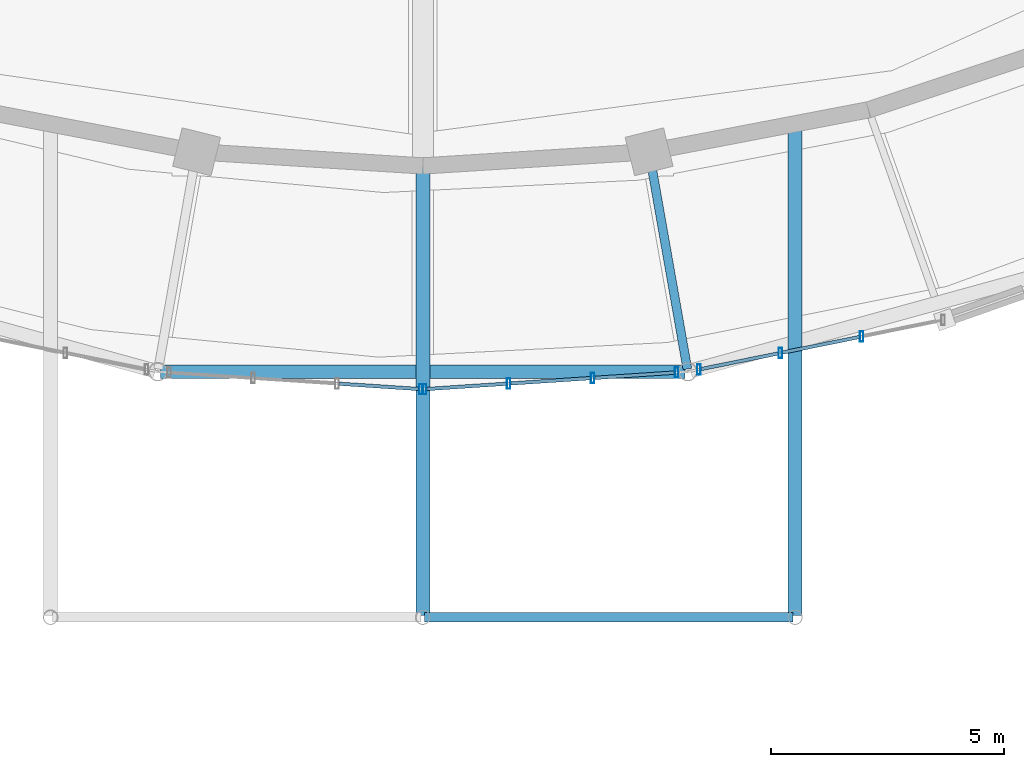
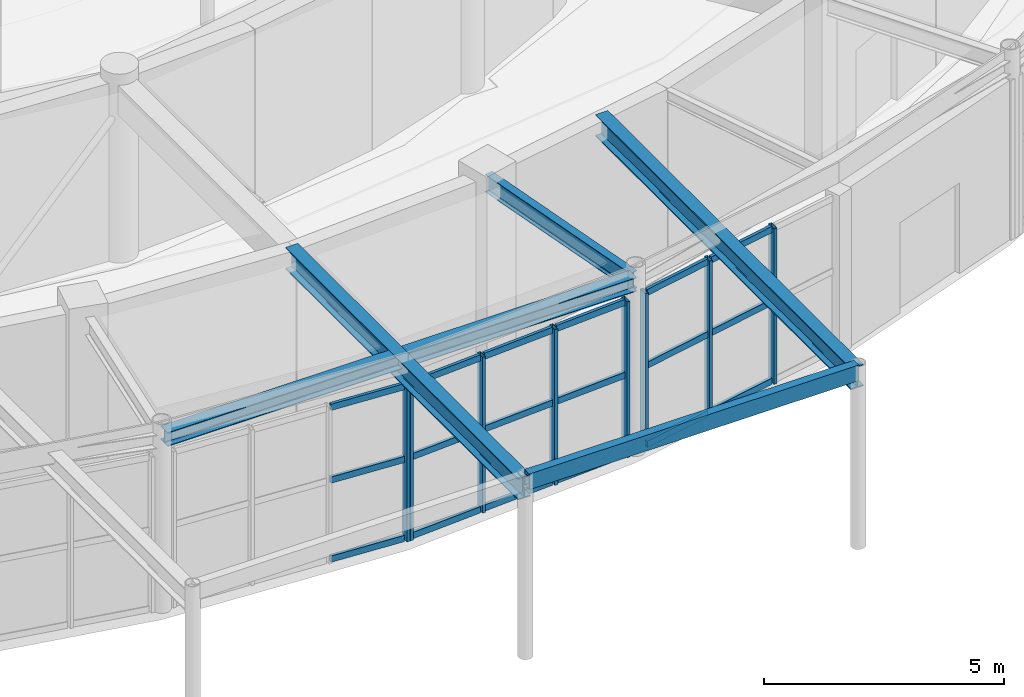
# One storey, part 38 of 108: 26 members, 5 beams, 3 elements without a shape of their own.
"""IFC4 building model written with IfcOpenShell, lengths in metres."""

from ifc_helpers import new_model, si_unit, direction, frame, origin, origin_2d, place, context, subcontext, project, spatial, hollow_rectangle, i_section, extrude, material, material_profile, profile_set, type_object, element, aggregate, save


model = new_model("IFC4")

# Units and contexts
model_context = context("Model", 3, precision=1e-05, world=origin(), true_north=direction((0.0, 1.0)))
body_context = subcontext(model_context, "Body", "Model", "MODEL_VIEW")
ifc_project = project(units=[si_unit("LENGTHUNIT", "METRE"), si_unit("AREAUNIT", "SQUARE_METRE"), si_unit("VOLUMEUNIT", "CUBIC_METRE"), si_unit("PLANEANGLEUNIT", "RADIAN"), si_unit("MASSUNIT", "GRAM", prefix="KILO")], contexts=[model_context])

# Site, building, storey
site_placement = place(None, origin())
site = spatial("IfcSite", under=ifc_project, at=site_placement, CompositionType="ELEMENT")
building_placement = place(site_placement, origin())
building = spatial("IfcBuilding", under=site, at=building_placement, Name="Tarnveldt Headland Concert Hall", CompositionType="ELEMENT")
storey_placement = place(building_placement, origin())
storey = spatial("IfcBuildingStorey", under=building, at=storey_placement, Name="L00", CompositionType="ELEMENT", Elevation=0.0)

# Curtain wall, member
ifc_material_1 = material(Name="Marine-anodised aluminium EN AW-6063-T6", Category="aluminium")
curtain_wall_type = type_object("IfcCurtainWallType", Name="CW-F1", PredefinedType="NOTDEFINED", material=ifc_material_1)
curtain_wall_1_placement = place(storey_placement, origin())
curtain_wall_1 = element("IfcCurtainWall", 1, at=curtain_wall_1_placement, inside=storey, type_object=curtain_wall_type, Name="Curtain wall CW-L00-019", PredefinedType="NOTDEFINED")
ifc_material_profile_1 = material_profile(ifc_material_1, hollow_rectangle(XDim=0.074951171875, YDim=0.219970703125, WallThickness=0.0048828125, at=origin_2d()), Name="ALU MULLION 75x220x5", Category="aluminium")
ifc_profile_set_1 = profile_set([ifc_material_profile_1], Name="Marine-anodised aluminium EN AW-6063-T6")
member_type_1 = type_object("IfcMemberType", Name="ML-200", PredefinedType="MULLION", material=ifc_profile_set_1)
member_1_placement = place(storey_placement, frame((83.460205078125, 29.70263671875, 0.0), z_axis=(0.0, 0.0, 1.0), x_axis=(1.0, 0.0, 0.0)))
member_1 = element("IfcMember", 2, at=member_1_placement, type_object=member_type_1, Name="Mullion CW-L00-019-4", PredefinedType="MULLION", context=body_context, shape_type="SweptSolid", body=[
    extrude(hollow_rectangle(XDim=0.074951171875, YDim=0.219970703125, WallThickness=0.0048828125, at=origin_2d()), origin(), (0.0, 0.0, 1.0), 3.9580078125),
])

# Curtain wall, members
curtain_wall_2_placement = place(storey_placement, origin())
curtain_wall_2 = element("IfcCurtainWall", 3, at=curtain_wall_2_placement, inside=storey, type_object=curtain_wall_type, Name="Curtain wall CW-L00-020", PredefinedType="NOTDEFINED")
member_2_placement = place(storey_placement, frame((83.539794921875, 29.70263671875, 0.0), z_axis=(0.0, 0.0, 1.0), x_axis=(1.0, 0.0, 0.0)))
member_2 = element("IfcMember", 4, at=member_2_placement, type_object=member_type_1, Name="Mullion CW-L00-020-1", PredefinedType="MULLION", context=body_context, shape_type="SweptSolid", body=[
    extrude(hollow_rectangle(XDim=0.074951171875, YDim=0.219970703125, WallThickness=0.0048828125, at=origin_2d()), origin(), (0.0, 0.0, 1.0), 3.9580078125),
])
member_3_placement = place(storey_placement, frame((85.34423828125, 29.822021484375, 0.0), z_axis=(0.0, 0.0, 1.0), x_axis=(1.0, 0.0, 0.0)))
member_3 = element("IfcMember", 5, at=member_3_placement, type_object=member_type_1, Name="Mullion CW-L00-020-2", PredefinedType="MULLION", context=body_context, shape_type="SweptSolid", body=[
    extrude(hollow_rectangle(XDim=0.074951171875, YDim=0.219970703125, WallThickness=0.0048828125, at=origin_2d()), origin(), (0.0, 0.0, 1.0), 3.9580078125),
])
member_4_placement = place(storey_placement, frame((87.148681640625, 29.94140625, 0.0), z_axis=(0.0, 0.0, 1.0), x_axis=(1.0, 0.0, 0.0)))
member_4 = element("IfcMember", 6, at=member_4_placement, type_object=member_type_1, Name="Mullion CW-L00-020-3", PredefinedType="MULLION", context=body_context, shape_type="SweptSolid", body=[
    extrude(hollow_rectangle(XDim=0.074951171875, YDim=0.219970703125, WallThickness=0.0048828125, at=origin_2d()), origin(), (0.0, 0.0, 1.0), 3.9580078125),
])
member_5_placement = place(storey_placement, frame((88.952880859375, 30.060791015625, 0.0), z_axis=(0.0, 0.0, 1.0), x_axis=(1.0, 0.0, 0.0)))
member_5 = element("IfcMember", 7, at=member_5_placement, type_object=member_type_1, Name="Mullion CW-L00-020-4", PredefinedType="MULLION", context=body_context, shape_type="SweptSolid", body=[
    extrude(hollow_rectangle(XDim=0.074951171875, YDim=0.219970703125, WallThickness=0.0048828125, at=origin_2d()), origin(), (0.0, 0.0, 1.0), 3.9580078125),
])

curtain_wall_3_placement = place(storey_placement, origin())
curtain_wall_3 = element("IfcCurtainWall", 8, at=curtain_wall_3_placement, inside=storey, type_object=curtain_wall_type, Name="Curtain wall CW-L00-021", PredefinedType="NOTDEFINED")
member_6_placement = place(storey_placement, frame((89.43408203125, 30.125, 0.0), z_axis=(0.0, 0.0, 1.0), x_axis=(1.0, 0.0, 0.0)))
member_6 = element("IfcMember", 9, at=member_6_placement, type_object=member_type_1, Name="Mullion CW-L00-021-1", PredefinedType="MULLION", context=body_context, shape_type="SweptSolid", body=[
    extrude(hollow_rectangle(XDim=0.074951171875, YDim=0.219970703125, WallThickness=0.0048828125, at=origin_2d()), origin(), (0.0, 0.0, 1.0), 3.9580078125),
])
member_7_placement = place(storey_placement, frame((91.182373046875, 30.479248046875, 0.0), z_axis=(0.0, 0.0, 1.0), x_axis=(1.0, 0.0, 0.0)))
member_7 = element("IfcMember", 10, at=member_7_placement, type_object=member_type_1, Name="Mullion CW-L00-021-2", PredefinedType="MULLION", context=body_context, shape_type="SweptSolid", body=[
    extrude(hollow_rectangle(XDim=0.074951171875, YDim=0.219970703125, WallThickness=0.0048828125, at=origin_2d()), origin(), (0.0, 0.0, 1.0), 3.9580078125),
])
member_8_placement = place(storey_placement, frame((92.930908203125, 30.83349609375, 0.0), z_axis=(0.0, 0.0, 1.0), x_axis=(1.0, 0.0, 0.0)))
member_8 = element("IfcMember", 11, at=member_8_placement, type_object=member_type_1, Name="Mullion CW-L00-021-3", PredefinedType="MULLION", context=body_context, shape_type="SweptSolid", body=[
    extrude(hollow_rectangle(XDim=0.074951171875, YDim=0.219970703125, WallThickness=0.0048828125, at=origin_2d()), origin(), (0.0, 0.0, 1.0), 3.9580078125),
])

# Beams
ifc_material_2 = material(Name="Steel S355", Category="steel")
ifc_material_profile_2 = material_profile(ifc_material_2, i_section(OverallWidth=0.300048828125, OverallDepth=0.35009765625, WebThickness=0.010009765625, FlangeThickness=0.017578125, FilletRadius=0.027099609375, at=origin_2d()), Name="HEA360", Category="steel")
ifc_profile_set_2 = profile_set([ifc_material_profile_2], Name="Steel S355")
beam_type_1 = type_object("IfcBeamType", Name="SB-HEA360", PredefinedType="SPANDREL", material=ifc_profile_set_2)
beam_1_placement = place(storey_placement, frame((77.8642578125, 30.076904296875, 4.344970703125), z_axis=(1.0, 0.0, 0.0), x_axis=(0.0, 1.0, 0.0)))
element("IfcBeam", 12, at=beam_1_placement, inside=storey, type_object=beam_type_1, Name="Framing beam L00-386", PredefinedType="SPANDREL", context=body_context, shape_type="SweptSolid", body=[
    extrude(i_section(OverallWidth=0.300048828125, OverallDepth=0.35009765625, WebThickness=0.010009765625, FlangeThickness=0.017578125, FilletRadius=0.027099609375, at=origin_2d()), origin(), (0.0, 0.0, 1.0), 11.271484375),
])
ifc_material_profile_3 = material_profile(ifc_material_2, i_section(OverallWidth=0.300048828125, OverallDepth=0.550048828125, WebThickness=0.014892578125, FlangeThickness=0.029052734375, FilletRadius=0.027099609375, at=origin_2d()), Name="HEB550", Category="steel")
ifc_profile_set_3 = profile_set([ifc_material_profile_3], Name="Steel S355")
beam_type_2 = type_object("IfcBeamType", Name="SB-HEB550", PredefinedType="BEAM", material=ifc_profile_set_3)
beam_2_placement = place(storey_placement, frame((83.5, 34.530029296875, 4.2451171875), z_axis=(0.0, -1.0, 0.0), x_axis=(1.0, 0.0, 0.0)))
element("IfcBeam", 13, at=beam_2_placement, inside=storey, type_object=beam_type_2, Name="Framing beam L00-1449", PredefinedType="BEAM", context=body_context, shape_type="SweptSolid", body=[
    extrude(i_section(OverallWidth=0.300048828125, OverallDepth=0.550048828125, WebThickness=0.014892578125, FlangeThickness=0.029052734375, FilletRadius=0.027099609375, at=origin_2d()), origin(), (0.0, 0.0, 1.0), 9.68994140625),
])
beam_3_placement = place(storey_placement, frame((91.5, 35.47998046875, 4.2451171875), z_axis=(0.0, -1.0, 0.0), x_axis=(1.0, 0.0, 0.0)))
element("IfcBeam", 14, at=beam_3_placement, inside=storey, type_object=beam_type_2, Name="Framing beam L00-1450", PredefinedType="BEAM", context=body_context, shape_type="SweptSolid", body=[
    extrude(i_section(OverallWidth=0.300048828125, OverallDepth=0.550048828125, WebThickness=0.014892578125, FlangeThickness=0.029052734375, FilletRadius=0.027099609375, at=origin_2d()), origin(), (0.0, 0.0, 1.0), 10.639892578125),
])
ifc_material_profile_4 = material_profile(ifc_material_2, i_section(OverallWidth=0.18994140625, OverallDepth=0.449951171875, WebThickness=0.009521484375, FlangeThickness=0.0146484375, FilletRadius=0.02099609375, at=origin_2d()), Name="IPE450", Category="steel")
ifc_profile_set_4 = profile_set([ifc_material_profile_4], Name="Steel S355")
beam_type_3 = type_object("IfcBeamType", Name="SB-IPE450", PredefinedType="BEAM", material=ifc_profile_set_4)
beam_4_placement = place(storey_placement, frame((88.368896484375, 34.764404296875, 4.294921875), z_axis=(0.173708285572, -0.984797152475, 0.0), x_axis=(0.984797152475, 0.173708285572, 0.0)))
element("IfcBeam", 15, at=beam_4_placement, inside=storey, type_object=beam_type_3, Name="Framing beam L00-389", PredefinedType="BEAM", context=body_context, shape_type="SweptSolid", body=[
    extrude(i_section(OverallWidth=0.18994140625, OverallDepth=0.449951171875, WebThickness=0.009521484375, FlangeThickness=0.0146484375, FilletRadius=0.02099609375, at=origin_2d()), origin(), (0.0, 0.0, 1.0), 4.699951171875),
])
ifc_material_profile_5 = material_profile(ifc_material_2, hollow_rectangle(XDim=0.199951171875, YDim=0.39990234375, WallThickness=0.01611328125, at=origin_2d()), Name="RHS 400x200x16", Category="steel")
ifc_profile_set_5 = profile_set([ifc_material_profile_5], Name="Steel S355")
beam_type_4 = type_object("IfcBeamType", Name="SB-RHS400", PredefinedType="BEAM", material=ifc_profile_set_5)
beam_5_placement = place(storey_placement, frame((83.5400390625, 24.800048828125, 4.455078125), z_axis=(1.0, 0.0, 0.0), x_axis=(0.0, 1.0, 0.0)))
element("IfcBeam", 16, at=beam_5_placement, inside=storey, type_object=beam_type_4, Name="Framing beam L00-1452", PredefinedType="BEAM", context=body_context, shape_type="SweptSolid", body=[
    extrude(hollow_rectangle(XDim=0.199951171875, YDim=0.39990234375, WallThickness=0.01611328125, at=origin_2d()), origin(), (0.0, 0.0, 1.0), 7.919921875),
])

# Member
ifc_material_profile_6 = material_profile(ifc_material_1, hollow_rectangle(XDim=0.074951171875, YDim=0.159912109375, WallThickness=0.00390625, at=origin_2d()), Name="ALU TRANSOM 75x160x4", Category="aluminium")
ifc_profile_set_6 = profile_set([ifc_material_profile_6], Name="Marine-anodised aluminium EN AW-6063-T6")
member_type_2 = type_object("IfcMemberType", Name="TR-160", PredefinedType="MEMBER", material=ifc_profile_set_6)
member_9_placement = place(storey_placement, frame((81.705078125, 29.818603515625, 0.050048828125), z_axis=(0.997820408488, -0.065988123207, 0.0), x_axis=(0.065988123207, 0.997820408488, 0.0)))
member_9 = element("IfcMember", 17, at=member_9_placement, type_object=member_type_2, Name="Transom CW-L00-019-3-1", PredefinedType="MEMBER", context=body_context, shape_type="SweptSolid", body=[
    extrude(hollow_rectangle(XDim=0.074951171875, YDim=0.159912109375, WallThickness=0.00390625, at=origin_2d()), origin(), (0.0, 0.0, 1.0), 1.709228515625),
])

member_10_placement = place(storey_placement, frame((81.705078125, 29.818603515625, 2.05810546875), z_axis=(0.997820408488, -0.065988123207, 0.0), x_axis=(0.065988123207, 0.997820408488, 0.0)))
member_10 = element("IfcMember", 18, at=member_10_placement, type_object=member_type_2, Name="Transom CW-L00-019-3-2", PredefinedType="MEMBER", context=body_context, shape_type="SweptSolid", body=[
    extrude(hollow_rectangle(XDim=0.074951171875, YDim=0.159912109375, WallThickness=0.00390625, at=origin_2d()), origin(), (0.0, 0.0, 1.0), 1.709228515625),
])

member_11_placement = place(storey_placement, frame((81.705078125, 29.818603515625, 3.907958984375), z_axis=(0.997820408488, -0.065988123207, 0.0), x_axis=(0.065988123207, 0.997820408488, 0.0)))
member_11 = element("IfcMember", 19, at=member_11_placement, type_object=member_type_2, Name="Transom CW-L00-019-3-3", PredefinedType="MEMBER", context=body_context, shape_type="SweptSolid", body=[
    extrude(hollow_rectangle(XDim=0.074951171875, YDim=0.159912109375, WallThickness=0.00390625, at=origin_2d()), origin(), (0.0, 0.0, 1.0), 1.709228515625),
])

aggregate(curtain_wall_1, [member_1, member_9, member_10, member_11])

member_12_placement = place(storey_placement, frame((83.58935546875, 29.705810546875, 0.050048828125), z_axis=(0.997820408488, 0.065988123207, 0.0), x_axis=(-0.065988123207, 0.997820408488, 0.0)))
member_12 = element("IfcMember", 20, at=member_12_placement, type_object=member_type_2, Name="Transom CW-L00-020-1-1", PredefinedType="MEMBER", context=body_context, shape_type="SweptSolid", body=[
    extrude(hollow_rectangle(XDim=0.074951171875, YDim=0.159912109375, WallThickness=0.00390625, at=origin_2d()), origin(), (0.0, 0.0, 1.0), 1.709228515625),
])

member_13_placement = place(storey_placement, frame((83.58935546875, 29.705810546875, 2.05810546875), z_axis=(0.997820408488, 0.065988123207, 0.0), x_axis=(-0.065988123207, 0.997820408488, 0.0)))
member_13 = element("IfcMember", 21, at=member_13_placement, type_object=member_type_2, Name="Transom CW-L00-020-1-2", PredefinedType="MEMBER", context=body_context, shape_type="SweptSolid", body=[
    extrude(hollow_rectangle(XDim=0.074951171875, YDim=0.159912109375, WallThickness=0.00390625, at=origin_2d()), origin(), (0.0, 0.0, 1.0), 1.709228515625),
])

member_14_placement = place(storey_placement, frame((83.58935546875, 29.705810546875, 3.907958984375), z_axis=(0.997820408488, 0.065988123207, 0.0), x_axis=(-0.065988123207, 0.997820408488, 0.0)))
member_14 = element("IfcMember", 22, at=member_14_placement, type_object=member_type_2, Name="Transom CW-L00-020-1-3", PredefinedType="MEMBER", context=body_context, shape_type="SweptSolid", body=[
    extrude(hollow_rectangle(XDim=0.074951171875, YDim=0.159912109375, WallThickness=0.00390625, at=origin_2d()), origin(), (0.0, 0.0, 1.0), 1.709228515625),
])

member_15_placement = place(storey_placement, frame((85.393798828125, 29.8251953125, 0.050048828125), z_axis=(0.997819786405, 0.06599752918, 0.0), x_axis=(-0.06599752918, 0.997819786405, 0.0)))
member_15 = element("IfcMember", 23, at=member_15_placement, type_object=member_type_2, Name="Transom CW-L00-020-2-1", PredefinedType="MEMBER", context=body_context, shape_type="SweptSolid", body=[
    extrude(hollow_rectangle(XDim=0.074951171875, YDim=0.159912109375, WallThickness=0.00390625, at=origin_2d()), origin(), (0.0, 0.0, 1.0), 1.708984375),
])

member_16_placement = place(storey_placement, frame((85.393798828125, 29.8251953125, 2.05810546875), z_axis=(0.997819786405, 0.06599752918, 0.0), x_axis=(-0.06599752918, 0.997819786405, 0.0)))
member_16 = element("IfcMember", 24, at=member_16_placement, type_object=member_type_2, Name="Transom CW-L00-020-2-2", PredefinedType="MEMBER", context=body_context, shape_type="SweptSolid", body=[
    extrude(hollow_rectangle(XDim=0.074951171875, YDim=0.159912109375, WallThickness=0.00390625, at=origin_2d()), origin(), (0.0, 0.0, 1.0), 1.708984375),
])

member_17_placement = place(storey_placement, frame((85.393798828125, 29.8251953125, 3.907958984375), z_axis=(0.997819786405, 0.06599752918, 0.0), x_axis=(-0.06599752918, 0.997819786405, 0.0)))
member_17 = element("IfcMember", 25, at=member_17_placement, type_object=member_type_2, Name="Transom CW-L00-020-2-3", PredefinedType="MEMBER", context=body_context, shape_type="SweptSolid", body=[
    extrude(hollow_rectangle(XDim=0.074951171875, YDim=0.159912109375, WallThickness=0.00390625, at=origin_2d()), origin(), (0.0, 0.0, 1.0), 1.708984375),
])

member_18_placement = place(storey_placement, frame((87.197998046875, 29.944580078125, 0.050048828125), z_axis=(0.997820408488, 0.065988123207, 0.0), x_axis=(-0.065988123207, 0.997820408488, 0.0)))
member_18 = element("IfcMember", 26, at=member_18_placement, type_object=member_type_2, Name="Transom CW-L00-020-3-1", PredefinedType="MEMBER", context=body_context, shape_type="SweptSolid", body=[
    extrude(hollow_rectangle(XDim=0.074951171875, YDim=0.159912109375, WallThickness=0.00390625, at=origin_2d()), origin(), (0.0, 0.0, 1.0), 1.709228515625),
])

member_19_placement = place(storey_placement, frame((87.197998046875, 29.944580078125, 2.05810546875), z_axis=(0.997820408488, 0.065988123207, 0.0), x_axis=(-0.065988123207, 0.997820408488, 0.0)))
member_19 = element("IfcMember", 27, at=member_19_placement, type_object=member_type_2, Name="Transom CW-L00-020-3-2", PredefinedType="MEMBER", context=body_context, shape_type="SweptSolid", body=[
    extrude(hollow_rectangle(XDim=0.074951171875, YDim=0.159912109375, WallThickness=0.00390625, at=origin_2d()), origin(), (0.0, 0.0, 1.0), 1.709228515625),
])

member_20_placement = place(storey_placement, frame((87.197998046875, 29.944580078125, 3.907958984375), z_axis=(0.997820408488, 0.065988123207, 0.0), x_axis=(-0.065988123207, 0.997820408488, 0.0)))
member_20 = element("IfcMember", 28, at=member_20_placement, type_object=member_type_2, Name="Transom CW-L00-020-3-3", PredefinedType="MEMBER", context=body_context, shape_type="SweptSolid", body=[
    extrude(hollow_rectangle(XDim=0.074951171875, YDim=0.159912109375, WallThickness=0.00390625, at=origin_2d()), origin(), (0.0, 0.0, 1.0), 1.709228515625),
])

aggregate(curtain_wall_2, [member_2, member_3, member_4, member_5, member_12, member_13, member_14, member_15, member_16, member_17, member_18, member_19, member_20])

member_21_placement = place(storey_placement, frame((89.482666015625, 30.135009765625, 0.050048828125), z_axis=(0.980092754065, 0.19854015571, 0.0), x_axis=(-0.19854015571, 0.980092754065, 0.0)))
member_21 = element("IfcMember", 29, at=member_21_placement, type_object=member_type_2, Name="Transom CW-L00-021-1-1", PredefinedType="MEMBER", context=body_context, shape_type="SweptSolid", body=[
    extrude(hollow_rectangle(XDim=0.074951171875, YDim=0.159912109375, WallThickness=0.00390625, at=origin_2d()), origin(), (0.0, 0.0, 1.0), 1.6845703125),
])

member_22_placement = place(storey_placement, frame((89.482666015625, 30.135009765625, 2.05810546875), z_axis=(0.980092754065, 0.19854015571, 0.0), x_axis=(-0.19854015571, 0.980092754065, 0.0)))
member_22 = element("IfcMember", 30, at=member_22_placement, type_object=member_type_2, Name="Transom CW-L00-021-1-2", PredefinedType="MEMBER", context=body_context, shape_type="SweptSolid", body=[
    extrude(hollow_rectangle(XDim=0.074951171875, YDim=0.159912109375, WallThickness=0.00390625, at=origin_2d()), origin(), (0.0, 0.0, 1.0), 1.6845703125),
])

member_23_placement = place(storey_placement, frame((89.482666015625, 30.135009765625, 3.907958984375), z_axis=(0.980092754065, 0.19854015571, 0.0), x_axis=(-0.19854015571, 0.980092754065, 0.0)))
member_23 = element("IfcMember", 31, at=member_23_placement, type_object=member_type_2, Name="Transom CW-L00-021-1-3", PredefinedType="MEMBER", context=body_context, shape_type="SweptSolid", body=[
    extrude(hollow_rectangle(XDim=0.074951171875, YDim=0.159912109375, WallThickness=0.00390625, at=origin_2d()), origin(), (0.0, 0.0, 1.0), 1.6845703125),
])

member_24_placement = place(storey_placement, frame((91.23095703125, 30.489013671875, 0.050048828125), z_axis=(0.980070264474, 0.198651143198, 0.0), x_axis=(-0.198651143198, 0.980070264474, 0.0)))
member_24 = element("IfcMember", 32, at=member_24_placement, type_object=member_type_2, Name="Transom CW-L00-021-2-1", PredefinedType="MEMBER", context=body_context, shape_type="SweptSolid", body=[
    extrude(hollow_rectangle(XDim=0.074951171875, YDim=0.159912109375, WallThickness=0.00390625, at=origin_2d()), origin(), (0.0, 0.0, 1.0), 1.68505859375),
])

member_25_placement = place(storey_placement, frame((91.23095703125, 30.489013671875, 2.05810546875), z_axis=(0.980070264474, 0.198651143198, 0.0), x_axis=(-0.198651143198, 0.980070264474, 0.0)))
member_25 = element("IfcMember", 33, at=member_25_placement, type_object=member_type_2, Name="Transom CW-L00-021-2-2", PredefinedType="MEMBER", context=body_context, shape_type="SweptSolid", body=[
    extrude(hollow_rectangle(XDim=0.074951171875, YDim=0.159912109375, WallThickness=0.00390625, at=origin_2d()), origin(), (0.0, 0.0, 1.0), 1.68505859375),
])

member_26_placement = place(storey_placement, frame((91.23095703125, 30.489013671875, 3.907958984375), z_axis=(0.980070264474, 0.198651143198, 0.0), x_axis=(-0.198651143198, 0.980070264474, 0.0)))
member_26 = element("IfcMember", 34, at=member_26_placement, type_object=member_type_2, Name="Transom CW-L00-021-2-3", PredefinedType="MEMBER", context=body_context, shape_type="SweptSolid", body=[
    extrude(hollow_rectangle(XDim=0.074951171875, YDim=0.159912109375, WallThickness=0.00390625, at=origin_2d()), origin(), (0.0, 0.0, 1.0), 1.68505859375),
])

aggregate(curtain_wall_3, [member_6, member_7, member_8, member_21, member_22, member_23, member_24, member_25, member_26])

save(model, "model.ifc")
